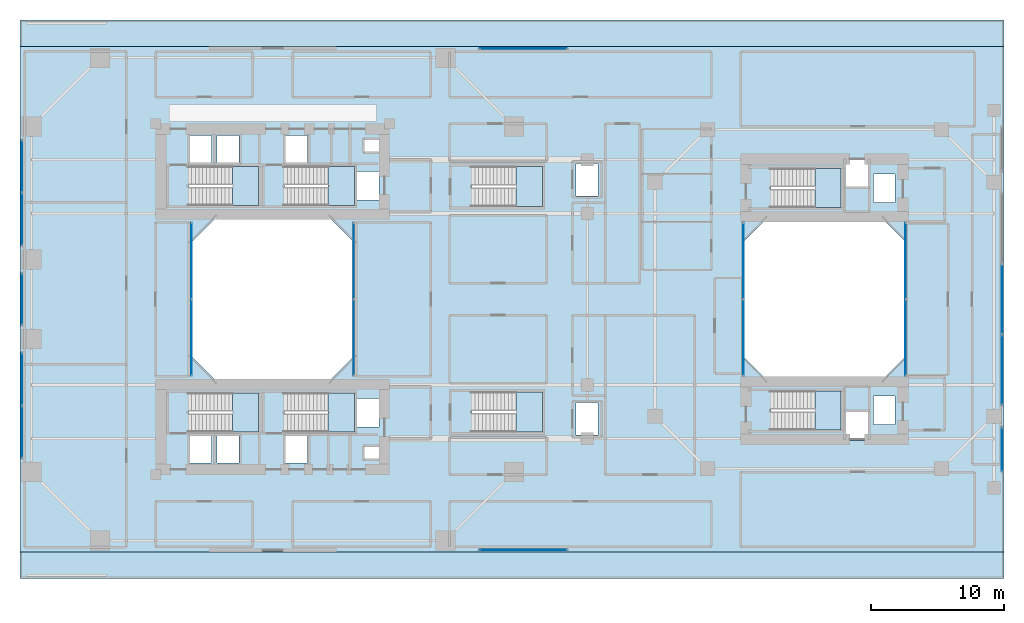
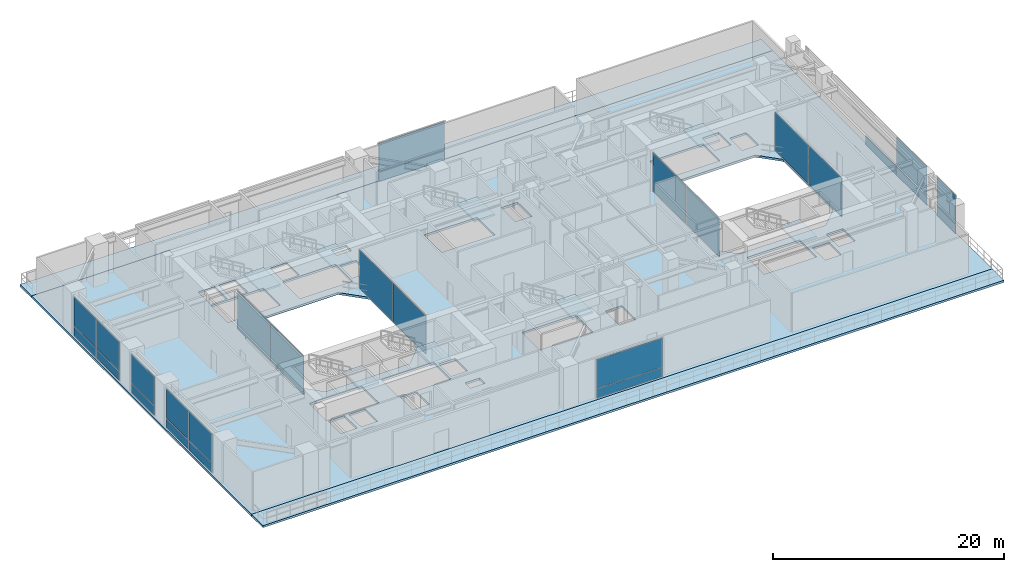
# One storey, part 9 of 19: 27 plates, 11 slabs, 19 elements without a shape of their own.
"""IFC4 building model written with IfcOpenShell, lengths in metres."""

from ifc_helpers import new_model, si_unit, direction, frame, origin, origin_2d, place, context, subcontext, project, spatial, polyline, rectangle, outline, extrude, source, transform, mapped, material, layer, layer_set, type_object, element, aggregate, save


model = new_model("IFC4")

# Units and contexts
model_context = context("Model", 3, precision=1e-05, world=origin(), true_north=direction((0.0, 1.0)))
body_context = subcontext(model_context, "Body", "Model", "MODEL_VIEW")
ifc_project = project(units=[si_unit("LENGTHUNIT", "METRE"), si_unit("AREAUNIT", "SQUARE_METRE"), si_unit("VOLUMEUNIT", "CUBIC_METRE"), si_unit("PLANEANGLEUNIT", "RADIAN"), si_unit("MASSUNIT", "GRAM", prefix="KILO"), si_unit("THERMODYNAMICTEMPERATUREUNIT", "KELVIN"), si_unit("POWERUNIT", "WATT")], contexts=[model_context])

# Site, building, storey
site_placement = place(None, origin())
site = spatial("IfcSite", under=ifc_project, at=site_placement, CompositionType="ELEMENT")
building_placement = place(site_placement, origin())
building = spatial("IfcBuilding", under=site, at=building_placement, Name="Qiaomeng Ring Towers", CompositionType="ELEMENT")
storey_placement = place(building_placement, frame((0.0, 0.0, 9.39990234375)))
storey = spatial("IfcBuildingStorey", under=building, at=storey_placement, Name="L02", CompositionType="ELEMENT", Elevation=9.39990234375)

# Slab
ifc_material_1 = material(Name="Concrete C40", Category="concrete")
ifc_layer_1 = layer(ifc_material_1, 0.219970703125, Name="Concrete C40")
ifc_layer_set_1 = layer_set([ifc_layer_1], Name="Concrete C40")
slab_type_1 = type_object("IfcSlabType", Name="STR-SL-220", PredefinedType="FLOOR", material=ifc_layer_set_1)
slab_1_placement = place(storey_placement, frame((0.0, 0.0, -0.219970703125)))
element("IfcSlab", 1, at=slab_1_placement, inside=storey, type_object=slab_type_1, Name="L02 Structural Floor Slab", PredefinedType="FLOOR", context=body_context, shape_type="SweptSolid", body=[
    extrude(outline(polyline([(0.0, 4.0), (74.0, 4.0), (74.0, 42.0), (0.0, 42.0), (0.0, 4.0)]), holes=[polyline([(12.780029296875, 12.820068359375), (14.419921875, 12.820068359375), (14.419921875, 10.679931640625), (12.780029296875, 10.679931640625), (12.780029296875, 12.820068359375)]), polyline([(16.469970703125, 12.820068359375), (16.469970703125, 10.679931640625), (14.830078125, 10.679931640625), (14.830078125, 12.820068359375), (16.469970703125, 12.820068359375)]), polyline([(21.6201171875, 12.820068359375), (21.6201171875, 10.679931640625), (19.97998046875, 10.679931640625), (19.97998046875, 12.820068359375), (21.6201171875, 12.820068359375)]), polyline([(27.0, 15.52001953125), (27.0, 13.3798828125), (25.360107421875, 13.3798828125), (25.360107421875, 15.52001953125), (27.0, 15.52001953125)]), polyline([(17.949951171875, 15.949951171875), (17.949951171875, 13.010009765625), (12.679931640625, 13.010009765625), (12.679931640625, 15.949951171875), (17.949951171875, 15.949951171875)]), polyline([(25.14990234375, 15.949951171875), (25.14990234375, 13.010009765625), (19.8798828125, 13.010009765625), (19.8798828125, 15.949951171875), (25.14990234375, 15.949951171875)]), polyline([(25.199951171875, 18.800048828125), (23.199951171875, 16.800048828125), (14.800048828125, 16.800048828125), (12.800048828125, 18.800048828125), (12.800048828125, 27.199951171875), (14.800048828125, 29.199951171875), (23.199951171875, 29.199951171875), (25.199951171875, 27.199951171875), (25.199951171875, 18.800048828125)]), polyline([(12.679931640625, 32.989990234375), (17.949951171875, 32.989990234375), (17.949951171875, 30.050048828125), (12.679931640625, 30.050048828125), (12.679931640625, 32.989990234375)]), polyline([(25.14990234375, 32.989990234375), (25.14990234375, 30.050048828125), (19.8798828125, 30.050048828125), (19.8798828125, 32.989990234375), (25.14990234375, 32.989990234375)]), polyline([(27.0, 32.6201171875), (27.0, 30.47998046875), (25.360107421875, 30.47998046875), (25.360107421875, 32.6201171875), (27.0, 32.6201171875)]), polyline([(14.419921875, 35.320068359375), (14.419921875, 33.179931640625), (12.780029296875, 33.179931640625), (12.780029296875, 35.320068359375), (14.419921875, 35.320068359375)]), polyline([(16.469970703125, 35.320068359375), (16.469970703125, 33.179931640625), (14.830078125, 33.179931640625), (14.830078125, 35.320068359375), (16.469970703125, 35.320068359375)]), polyline([(21.6201171875, 35.320068359375), (21.6201171875, 33.179931640625), (19.97998046875, 33.179931640625), (19.97998046875, 35.320068359375), (21.6201171875, 35.320068359375)]), polyline([(27.360107421875, 35.0), (27.360107421875, 34.10009765625), (25.919921875, 34.10009765625), (25.919921875, 35.0), (27.360107421875, 35.0)]), polyline([(25.919921875, 11.89990234375), (27.360107421875, 11.89990234375), (27.360107421875, 11.0), (25.919921875, 11.0), (25.919921875, 11.89990234375)]), polyline([(63.77001953125, 14.52001953125), (63.77001953125, 12.3798828125), (62.1298828125, 12.3798828125), (62.1298828125, 14.52001953125), (63.77001953125, 14.52001953125)]), polyline([(43.469970703125, 15.219970703125), (43.469970703125, 12.780029296875), (41.830078125, 12.780029296875), (41.830078125, 15.219970703125), (43.469970703125, 15.219970703125)]), polyline([(39.300048828125, 16.0400390625), (39.300048828125, 13.0), (33.989990234375, 13.0), (33.989990234375, 16.0400390625), (39.300048828125, 16.0400390625)]), polyline([(61.75, 16.10009765625), (61.75, 13.159912109375), (56.47998046875, 13.159912109375), (56.47998046875, 16.10009765625), (61.75, 16.10009765625)]), polyline([(65.820068359375, 15.719970703125), (65.820068359375, 13.580078125), (64.179931640625, 13.580078125), (64.179931640625, 15.719970703125), (65.820068359375, 15.719970703125)]), polyline([(66.60009765625, 27.300048828125), (66.60009765625, 18.699951171875), (64.800048828125, 16.89990234375), (56.199951171875, 16.89990234375), (54.39990234375, 18.699951171875), (54.39990234375, 27.300048828125), (56.199951171875, 29.10009765625), (64.800048828125, 29.10009765625), (66.60009765625, 27.300048828125)]), polyline([(65.820068359375, 32.419921875), (65.820068359375, 30.280029296875), (64.179931640625, 30.280029296875), (64.179931640625, 32.419921875), (65.820068359375, 32.419921875)]), polyline([(61.75, 32.840087890625), (61.75, 29.89990234375), (56.47998046875, 29.89990234375), (56.47998046875, 32.840087890625), (61.75, 32.840087890625)]), polyline([(39.300048828125, 33.0), (39.300048828125, 29.9599609375), (33.989990234375, 29.9599609375), (33.989990234375, 33.0), (39.300048828125, 33.0)]), polyline([(43.469970703125, 33.219970703125), (43.469970703125, 30.780029296875), (41.830078125, 30.780029296875), (41.830078125, 33.219970703125), (43.469970703125, 33.219970703125)]), polyline([(63.77001953125, 33.6201171875), (63.77001953125, 31.47998046875), (62.1298828125, 31.47998046875), (62.1298828125, 33.6201171875), (63.77001953125, 33.6201171875)])]), origin(), (0.0, 0.0, 1.0), 0.219970703125),
])

# Stair, slab
ifc_material_2 = material(Name="Precast concrete C40", Category="concrete")
stair_type_1 = type_object("IfcStairType", Name="ARC-ST-440", PredefinedType="HALF_TURN_STAIR", material=ifc_material_2)
stair_1_placement = place(storey_placement, origin())
stair_1 = element("IfcStair", 2, at=stair_1_placement, inside=storey, type_object=stair_type_1, Name="L02 Tower 1 North Stair 1", PredefinedType="HALF_TURN_STAIR")
ifc_layer_2 = layer(ifc_material_1, 0.199951171875, Name="Concrete C40")
ifc_layer_set_2 = layer_set([ifc_layer_2], Name="Concrete C40")
slab_type_2 = type_object("IfcSlabType", Name="STR-SL-LANDING", PredefinedType="LANDING", material=ifc_layer_set_2)
slab_2_placement = place(storey_placement, frame((0.0, 0.0, 2.0)))
slab_2 = element("IfcSlab", 3, at=slab_2_placement, type_object=slab_type_2, Name="ST1 landing 1", PredefinedType="LANDING", context=body_context, shape_type="SweptSolid", body=[
    extrude(outline(polyline([(15.97998046875, 30.050048828125), (17.949951171875, 30.050048828125), (17.949951171875, 32.989990234375), (15.97998046875, 32.989990234375), (15.97998046875, 30.050048828125)])), origin(), (0.0, 0.0, 1.0), 0.2001953125),
])
aggregate(stair_1, [slab_2])

stair_2_placement = place(storey_placement, origin())
stair_2 = element("IfcStair", 4, at=stair_2_placement, inside=storey, type_object=stair_type_1, Name="L02 Tower 1 North Stair 2", PredefinedType="HALF_TURN_STAIR")
slab_3_placement = place(storey_placement, frame((0.0, 0.0, 2.0)))
slab_3 = element("IfcSlab", 5, at=slab_3_placement, type_object=slab_type_2, Name="ST2 landing 1", PredefinedType="LANDING", context=body_context, shape_type="SweptSolid", body=[
    extrude(outline(polyline([(23.179931640625, 30.050048828125), (25.14990234375, 30.050048828125), (25.14990234375, 32.989990234375), (23.179931640625, 32.989990234375), (23.179931640625, 30.050048828125)])), origin(), (0.0, 0.0, 1.0), 0.2001953125),
])
aggregate(stair_2, [slab_3])

stair_3_placement = place(storey_placement, origin())
stair_3 = element("IfcStair", 6, at=stair_3_placement, inside=storey, type_object=stair_type_1, Name="L02 Tower 1 South Stair 3", PredefinedType="HALF_TURN_STAIR")
slab_4_placement = place(storey_placement, frame((0.0, 0.0, 2.0)))
slab_4 = element("IfcSlab", 7, at=slab_4_placement, type_object=slab_type_2, Name="ST3 landing 1", PredefinedType="LANDING", context=body_context, shape_type="SweptSolid", body=[
    extrude(outline(polyline([(15.97998046875, 13.010009765625), (17.949951171875, 13.010009765625), (17.949951171875, 15.949951171875), (15.97998046875, 15.949951171875), (15.97998046875, 13.010009765625)])), origin(), (0.0, 0.0, 1.0), 0.2001953125),
])
aggregate(stair_3, [slab_4])

stair_4_placement = place(storey_placement, origin())
stair_4 = element("IfcStair", 8, at=stair_4_placement, inside=storey, type_object=stair_type_1, Name="L02 Tower 1 South Stair 4", PredefinedType="HALF_TURN_STAIR")
slab_5_placement = place(storey_placement, frame((0.0, 0.0, 2.0)))
slab_5 = element("IfcSlab", 9, at=slab_5_placement, type_object=slab_type_2, Name="ST4 landing 1", PredefinedType="LANDING", context=body_context, shape_type="SweptSolid", body=[
    extrude(outline(polyline([(23.179931640625, 13.010009765625), (25.14990234375, 13.010009765625), (25.14990234375, 15.949951171875), (23.179931640625, 15.949951171875), (23.179931640625, 13.010009765625)])), origin(), (0.0, 0.0, 1.0), 0.2001953125),
])
aggregate(stair_4, [slab_5])

stair_5_placement = place(storey_placement, origin())
stair_5 = element("IfcStair", 10, at=stair_5_placement, inside=storey, type_object=stair_type_1, Name="L02 Companion North Stair 5", PredefinedType="HALF_TURN_STAIR")
slab_6_placement = place(storey_placement, frame((0.0, 0.0, 2.0)))
slab_6 = element("IfcSlab", 11, at=slab_6_placement, type_object=slab_type_2, Name="ST5 landing 1", PredefinedType="LANDING", context=body_context, shape_type="SweptSolid", body=[
    extrude(outline(polyline([(59.780029296875, 29.89990234375), (61.75, 29.89990234375), (61.75, 32.840087890625), (59.780029296875, 32.840087890625), (59.780029296875, 29.89990234375)])), origin(), (0.0, 0.0, 1.0), 0.2001953125),
])
aggregate(stair_5, [slab_6])

stair_6_placement = place(storey_placement, origin())
stair_6 = element("IfcStair", 12, at=stair_6_placement, inside=storey, type_object=stair_type_1, Name="L02 Companion South Stair 6", PredefinedType="HALF_TURN_STAIR")
slab_7_placement = place(storey_placement, frame((0.0, 0.0, 2.0)))
slab_7 = element("IfcSlab", 13, at=slab_7_placement, type_object=slab_type_2, Name="ST6 landing 1", PredefinedType="LANDING", context=body_context, shape_type="SweptSolid", body=[
    extrude(outline(polyline([(59.780029296875, 13.159912109375), (61.75, 13.159912109375), (61.75, 16.10009765625), (59.780029296875, 16.10009765625), (59.780029296875, 13.159912109375)])), origin(), (0.0, 0.0, 1.0), 0.2001953125),
])
aggregate(stair_6, [slab_7])

stair_type_2 = type_object("IfcStairType", Name="ARC-ST-POD", PredefinedType="HALF_TURN_STAIR", material=ifc_material_2)
stair_7_placement = place(storey_placement, origin())
stair_7 = element("IfcStair", 14, at=stair_7_placement, inside=storey, type_object=stair_type_2, Name="L02 Podium Clinic North Stair 7", PredefinedType="HALF_TURN_STAIR")
slab_8_placement = place(storey_placement, frame((0.0, 0.0, 2.0)))
slab_8 = element("IfcSlab", 15, at=slab_8_placement, type_object=slab_type_2, Name="ST7 landing 1", PredefinedType="LANDING", context=body_context, shape_type="SweptSolid", body=[
    extrude(outline(polyline([(37.2900390625, 29.9599609375), (39.300048828125, 29.9599609375), (39.300048828125, 33.0), (37.2900390625, 33.0), (37.2900390625, 29.9599609375)])), origin(), (0.0, 0.0, 1.0), 0.2001953125),
])
aggregate(stair_7, [slab_8])

stair_8_placement = place(storey_placement, origin())
stair_8 = element("IfcStair", 16, at=stair_8_placement, inside=storey, type_object=stair_type_2, Name="L02 Podium Clinic South Stair 8", PredefinedType="HALF_TURN_STAIR")
slab_9_placement = place(storey_placement, frame((0.0, 0.0, 2.0)))
slab_9 = element("IfcSlab", 17, at=slab_9_placement, type_object=slab_type_2, Name="ST8 landing 1", PredefinedType="LANDING", context=body_context, shape_type="SweptSolid", body=[
    extrude(outline(polyline([(37.2900390625, 13.0), (39.300048828125, 13.0), (39.300048828125, 16.0400390625), (37.2900390625, 16.0400390625), (37.2900390625, 13.0)])), origin(), (0.0, 0.0, 1.0), 0.2001953125),
])
aggregate(stair_8, [slab_9])

# Slabs
ifc_layer_3 = layer(ifc_material_1, 0.219970703125, Name="Concrete C40")
ifc_layer_set_3 = layer_set([ifc_layer_3], Name="Concrete C40")
slab_type_3 = type_object("IfcSlabType", Name="STR-SL-TERR220", PredefinedType="FLOOR", material=ifc_layer_set_3)
slab_10_placement = place(storey_placement, frame((0.0, 0.0, -0.219970703125)))
element("IfcSlab", 18, at=slab_10_placement, inside=storey, type_object=slab_type_3, Name="L02 South Planted Podium Roof Terrace Slab", PredefinedType="FLOOR", context=body_context, shape_type="SweptSolid", body=[
    extrude(outline(polyline([(0.0, 2.0), (74.0, 2.0), (74.0, 4.0), (0.0, 4.0), (0.0, 2.0)])), origin(), (0.0, 0.0, 1.0), 0.219970703125),
])
slab_11_placement = place(storey_placement, frame((0.0, 0.0, -0.219970703125)))
element("IfcSlab", 19, at=slab_11_placement, inside=storey, type_object=slab_type_3, Name="L02 North Planted Podium Roof Terrace Slab", PredefinedType="FLOOR", context=body_context, shape_type="SweptSolid", body=[
    extrude(outline(polyline([(0.0, 42.0), (74.0, 42.0), (74.0, 44.0), (0.0, 44.0), (0.0, 42.0)])), origin(), (0.0, 0.0, 1.0), 0.219970703125),
])

# Curtain wall, plates
ifc_material_3 = material(Name="Fluorocarbon dark-grey aluminium", Category="aluminium")
ifc_layer_4 = layer(ifc_material_3, 0.179931640625, Name="Fluorocarbon dark-grey aluminium")
ifc_layer_set_4 = layer_set([ifc_layer_4], Name="Fluorocarbon dark-grey aluminium")
curtain_wall_type_1 = type_object("IfcCurtainWallType", Name="ARC-CW-1", PredefinedType="NOTDEFINED", material=ifc_layer_set_4)
curtain_wall_1_placement = place(storey_placement, origin())
curtain_wall_1 = element("IfcCurtainWall", 20, at=curtain_wall_1_placement, inside=storey, type_object=curtain_wall_type_1, Name="L02 Curtain Wall CW1", PredefinedType="NOTDEFINED")
ifc_material_4 = material(Name="Low-E pale-green laminated safety glass", Category="glass")
ifc_layer_5 = layer(ifc_material_4, 0.031982421875, Name="Low-E pale-green laminated safety glass")
ifc_layer_set_5 = layer_set([ifc_layer_5], Name="Low-E pale-green laminated safety glass")
plate_type_1 = type_object("IfcPlateType", Name="ARC-CWP-GREEN", PredefinedType="CURTAIN_PANEL", material=ifc_layer_set_5)
shared_shape_1 = source(origin(), body_context, "Body", "SweptSolid", [
    extrude(rectangle(XDim=3.889892578125, YDim=0.031982421875, at=origin_2d()), origin(), (0.0, 0.0, 1.0), 0.945068359375),
])
plate_1_placement = place(storey_placement, frame((0.14990234375, 13.014892578125, 0.06982421875), z_axis=(0.0, 0.0, 1.0), x_axis=(0.0, 1.0, 0.0)))
plate_1 = element("IfcPlate", 21, at=plate_1_placement, type_object=plate_type_1, Name="CW1 panel 1.1", PredefinedType="CURTAIN_PANEL", context=body_context, shape_type="MappedRepresentation", body=[
    mapped(shared_shape_1, transform((0.0, 0.0, 0.0), x_axis=(1.0, 0.0, 0.0), y_axis=(0.0, 1.0, 0.0), z_axis=(0.0, 0.0, 1.0), scale=1.0)),
])
plate_2_placement = place(storey_placement, frame((0.14990234375, 16.985107421875, 0.06982421875), z_axis=(0.0, 0.0, 1.0), x_axis=(0.0, 1.0, 0.0)))
plate_2 = element("IfcPlate", 22, at=plate_2_placement, type_object=plate_type_1, Name="CW1 panel 2.1", PredefinedType="CURTAIN_PANEL", context=body_context, shape_type="MappedRepresentation", body=[
    mapped(shared_shape_1, transform((0.0, 0.0, 0.0), x_axis=(1.0, 0.0, 0.0), y_axis=(0.0, 1.0, 0.0), z_axis=(0.0, 0.0, 1.0), scale=1.0)),
])

curtain_wall_2_placement = place(storey_placement, origin())
curtain_wall_2 = element("IfcCurtainWall", 23, at=curtain_wall_2_placement, inside=storey, type_object=curtain_wall_type_1, Name="L02 Curtain Wall CW1", PredefinedType="NOTDEFINED")
plate_3_placement = place(storey_placement, frame((0.14990234375, 29.014892578125, 0.06982421875), z_axis=(0.0, 0.0, 1.0), x_axis=(0.0, 1.0, 0.0)))
plate_3 = element("IfcPlate", 24, at=plate_3_placement, type_object=plate_type_1, Name="CW1 panel 1.1", PredefinedType="CURTAIN_PANEL", context=body_context, shape_type="MappedRepresentation", body=[
    mapped(shared_shape_1, transform((0.0, 0.0, 0.0), x_axis=(1.0, 0.0, 0.0), y_axis=(0.0, 1.0, 0.0), z_axis=(0.0, 0.0, 1.0), scale=1.0)),
])
plate_4_placement = place(storey_placement, frame((0.14990234375, 32.985107421875, 0.06982421875), z_axis=(0.0, 0.0, 1.0), x_axis=(0.0, 1.0, 0.0)))
plate_4 = element("IfcPlate", 25, at=plate_4_placement, type_object=plate_type_1, Name="CW1 panel 2.1", PredefinedType="CURTAIN_PANEL", context=body_context, shape_type="MappedRepresentation", body=[
    mapped(shared_shape_1, transform((0.0, 0.0, 0.0), x_axis=(1.0, 0.0, 0.0), y_axis=(0.0, 1.0, 0.0), z_axis=(0.0, 0.0, 1.0), scale=1.0)),
])

# Curtain wall, plate
curtain_wall_3_placement = place(storey_placement, origin())
curtain_wall_3 = element("IfcCurtainWall", 26, at=curtain_wall_3_placement, inside=storey, type_object=curtain_wall_type_1, Name="L02 Curtain Wall CW1", PredefinedType="NOTDEFINED")
shared_shape_2 = source(origin(), body_context, "Body", "SweptSolid", [
    extrude(rectangle(XDim=3.860107421875, YDim=0.031982421875, at=origin_2d()), origin(), (0.0, 0.0, 1.0), 0.945068359375),
])
plate_5_placement = place(storey_placement, frame((0.14990234375, 23.0, 0.06982421875), z_axis=(0.0, 0.0, 1.0), x_axis=(0.0, 1.0, 0.0)))
plate_5 = element("IfcPlate", 27, at=plate_5_placement, type_object=plate_type_1, Name="CW1 panel 1.1", PredefinedType="CURTAIN_PANEL", context=body_context, shape_type="MappedRepresentation", body=[
    mapped(shared_shape_2, transform((0.0, 0.0, 0.0), x_axis=(1.0, 0.0, 0.0), y_axis=(0.0, 1.0, 0.0), z_axis=(0.0, 0.0, 1.0), scale=1.0)),
])

# Curtain wall, plates
curtain_wall_4_placement = place(storey_placement, origin())
curtain_wall_4 = element("IfcCurtainWall", 28, at=curtain_wall_4_placement, inside=storey, type_object=curtain_wall_type_1, Name="L02 Curtain Wall CW1", PredefinedType="NOTDEFINED")
shared_shape_3 = source(origin(), body_context, "Body", "SweptSolid", [
    extrude(rectangle(XDim=5.219970703125, YDim=0.031982421875, at=origin_2d()), origin(), (0.0, 0.0, 1.0), 0.945068359375),
])
plate_6_placement = place(storey_placement, frame((73.85009765625, 17.679931640625, 0.06982421875), z_axis=(0.0, 0.0, 1.0), x_axis=(0.0, 1.0, 0.0)))
plate_6 = element("IfcPlate", 29, at=plate_6_placement, type_object=plate_type_1, Name="CW1 panel 1.1", PredefinedType="CURTAIN_PANEL", context=body_context, shape_type="MappedRepresentation", body=[
    mapped(shared_shape_3, transform((0.0, 0.0, 0.0), x_axis=(1.0, 0.0, 0.0), y_axis=(0.0, 1.0, 0.0), z_axis=(0.0, 0.0, 1.0), scale=1.0)),
])
shared_shape_4 = source(origin(), body_context, "Body", "SweptSolid", [
    extrude(rectangle(XDim=5.260009765625, YDim=0.031982421875, at=origin_2d()), origin(), (0.0, 0.0, 1.0), 0.945068359375),
])
plate_7_placement = place(storey_placement, frame((73.85009765625, 23.0, 0.06982421875), z_axis=(0.0, 0.0, 1.0), x_axis=(0.0, 1.0, 0.0)))
plate_7 = element("IfcPlate", 30, at=plate_7_placement, type_object=plate_type_1, Name="CW1 panel 2.1", PredefinedType="CURTAIN_PANEL", context=body_context, shape_type="MappedRepresentation", body=[
    mapped(shared_shape_4, transform((0.0, 0.0, 0.0), x_axis=(1.0, 0.0, 0.0), y_axis=(0.0, 1.0, 0.0), z_axis=(0.0, 0.0, 1.0), scale=1.0)),
])

# Plate
shared_shape_5 = source(origin(), body_context, "Body", "SweptSolid", [
    extrude(rectangle(XDim=3.889892578125, YDim=0.031982421875, at=origin_2d()), origin(), (0.0, 0.0, 1.0), 3.02490234375),
])
plate_8_placement = place(storey_placement, frame((0.14990234375, 13.014892578125, 1.085205078125), z_axis=(0.0, 0.0, 1.0), x_axis=(0.0, 1.0, 0.0)))
plate_8 = element("IfcPlate", 31, at=plate_8_placement, type_object=plate_type_1, Name="CW1 panel 1.2", PredefinedType="CURTAIN_PANEL", context=body_context, shape_type="MappedRepresentation", body=[
    mapped(shared_shape_5, transform((0.0, 0.0, 0.0), x_axis=(1.0, 0.0, 0.0), y_axis=(0.0, 1.0, 0.0), z_axis=(0.0, 0.0, 1.0), scale=1.0)),
])

plate_9_placement = place(storey_placement, frame((0.14990234375, 16.985107421875, 1.085205078125), z_axis=(0.0, 0.0, 1.0), x_axis=(0.0, 1.0, 0.0)))
plate_9 = element("IfcPlate", 32, at=plate_9_placement, type_object=plate_type_1, Name="CW1 panel 2.2", PredefinedType="CURTAIN_PANEL", context=body_context, shape_type="MappedRepresentation", body=[
    mapped(shared_shape_5, transform((0.0, 0.0, 0.0), x_axis=(1.0, 0.0, 0.0), y_axis=(0.0, 1.0, 0.0), z_axis=(0.0, 0.0, 1.0), scale=1.0)),
])

aggregate(curtain_wall_1, [plate_1, plate_8, plate_2, plate_9])

plate_10_placement = place(storey_placement, frame((0.14990234375, 29.014892578125, 1.085205078125), z_axis=(0.0, 0.0, 1.0), x_axis=(0.0, 1.0, 0.0)))
plate_10 = element("IfcPlate", 33, at=plate_10_placement, type_object=plate_type_1, Name="CW1 panel 1.2", PredefinedType="CURTAIN_PANEL", context=body_context, shape_type="MappedRepresentation", body=[
    mapped(shared_shape_5, transform((0.0, 0.0, 0.0), x_axis=(1.0, 0.0, 0.0), y_axis=(0.0, 1.0, 0.0), z_axis=(0.0, 0.0, 1.0), scale=1.0)),
])

plate_11_placement = place(storey_placement, frame((0.14990234375, 32.985107421875, 1.085205078125), z_axis=(0.0, 0.0, 1.0), x_axis=(0.0, 1.0, 0.0)))
plate_11 = element("IfcPlate", 34, at=plate_11_placement, type_object=plate_type_1, Name="CW1 panel 2.2", PredefinedType="CURTAIN_PANEL", context=body_context, shape_type="MappedRepresentation", body=[
    mapped(shared_shape_5, transform((0.0, 0.0, 0.0), x_axis=(1.0, 0.0, 0.0), y_axis=(0.0, 1.0, 0.0), z_axis=(0.0, 0.0, 1.0), scale=1.0)),
])

aggregate(curtain_wall_2, [plate_3, plate_10, plate_4, plate_11])

shared_shape_6 = source(origin(), body_context, "Body", "SweptSolid", [
    extrude(rectangle(XDim=3.860107421875, YDim=0.031982421875, at=origin_2d()), origin(), (0.0, 0.0, 1.0), 3.02490234375),
])
plate_12_placement = place(storey_placement, frame((0.14990234375, 23.0, 1.085205078125), z_axis=(0.0, 0.0, 1.0), x_axis=(0.0, 1.0, 0.0)))
plate_12 = element("IfcPlate", 35, at=plate_12_placement, type_object=plate_type_1, Name="CW1 panel 1.2", PredefinedType="CURTAIN_PANEL", context=body_context, shape_type="MappedRepresentation", body=[
    mapped(shared_shape_6, transform((0.0, 0.0, 0.0), x_axis=(1.0, 0.0, 0.0), y_axis=(0.0, 1.0, 0.0), z_axis=(0.0, 0.0, 1.0), scale=1.0)),
])

aggregate(curtain_wall_3, [plate_5, plate_12])

# Curtain wall, plates
curtain_wall_5_placement = place(storey_placement, origin())
curtain_wall_5 = element("IfcCurtainWall", 36, at=curtain_wall_5_placement, inside=storey, type_object=curtain_wall_type_1, Name="L02 Curtain Wall CW1", PredefinedType="NOTDEFINED")
shared_shape_7 = source(origin(), body_context, "Body", "SweptSolid", [
    extrude(rectangle(XDim=3.25, YDim=0.031982421875, at=origin_2d()), origin(), (0.0, 0.0, 1.0), 0.945068359375),
])
plate_13_placement = place(storey_placement, frame((73.85009765625, 11.705078125, 0.06982421875), z_axis=(0.0, 0.0, 1.0), x_axis=(0.0, 1.0, 0.0)))
plate_13 = element("IfcPlate", 37, at=plate_13_placement, type_object=plate_type_1, Name="CW1 panel 1.1", PredefinedType="CURTAIN_PANEL", context=body_context, shape_type="MappedRepresentation", body=[
    mapped(shared_shape_7, transform((0.0, 0.0, 0.0), x_axis=(1.0, 0.0, 0.0), y_axis=(0.0, 1.0, 0.0), z_axis=(0.0, 0.0, 1.0), scale=1.0)),
])
shared_shape_8 = source(origin(), body_context, "Body", "SweptSolid", [
    extrude(rectangle(XDim=3.25, YDim=0.031982421875, at=origin_2d()), origin(), (0.0, 0.0, 1.0), 3.02490234375),
])
plate_14_placement = place(storey_placement, frame((73.85009765625, 11.705078125, 1.085205078125), z_axis=(0.0, 0.0, 1.0), x_axis=(0.0, 1.0, 0.0)))
plate_14 = element("IfcPlate", 38, at=plate_14_placement, type_object=plate_type_1, Name="CW1 panel 1.2", PredefinedType="CURTAIN_PANEL", context=body_context, shape_type="MappedRepresentation", body=[
    mapped(shared_shape_8, transform((0.0, 0.0, 0.0), x_axis=(1.0, 0.0, 0.0), y_axis=(0.0, 1.0, 0.0), z_axis=(0.0, 0.0, 1.0), scale=1.0)),
])
aggregate(curtain_wall_5, [plate_13, plate_14])

# Plate
shared_shape_9 = source(origin(), body_context, "Body", "SweptSolid", [
    extrude(rectangle(XDim=5.219970703125, YDim=0.031982421875, at=origin_2d()), origin(), (0.0, 0.0, 1.0), 3.02490234375),
])
plate_15_placement = place(storey_placement, frame((73.85009765625, 17.679931640625, 1.085205078125), z_axis=(0.0, 0.0, 1.0), x_axis=(0.0, 1.0, 0.0)))
plate_15 = element("IfcPlate", 39, at=plate_15_placement, type_object=plate_type_1, Name="CW1 panel 1.2", PredefinedType="CURTAIN_PANEL", context=body_context, shape_type="MappedRepresentation", body=[
    mapped(shared_shape_9, transform((0.0, 0.0, 0.0), x_axis=(1.0, 0.0, 0.0), y_axis=(0.0, 1.0, 0.0), z_axis=(0.0, 0.0, 1.0), scale=1.0)),
])

aggregate(curtain_wall_4, [plate_6, plate_15, plate_7])

# Curtain wall, plate
curtain_wall_6_placement = place(storey_placement, origin())
curtain_wall_6 = element("IfcCurtainWall", 40, at=curtain_wall_6_placement, inside=storey, type_object=curtain_wall_type_1, Name="L02 Curtain Wall CW1", PredefinedType="NOTDEFINED")
shared_shape_10 = source(origin(), body_context, "Body", "SweptSolid", [
    extrude(rectangle(XDim=6.5400390625, YDim=0.031982421875, at=origin_2d()), origin(), (0.0, 0.0, 1.0), 0.945068359375),
])
plate_16_placement = place(storey_placement, frame((37.85009765625, 4.14990234375, 0.06982421875), z_axis=(0.0, 0.0, 1.0), x_axis=(1.0, 0.0, 0.0)))
plate_16 = element("IfcPlate", 41, at=plate_16_placement, type_object=plate_type_1, Name="CW1 panel 1.1", PredefinedType="CURTAIN_PANEL", context=body_context, shape_type="MappedRepresentation", body=[
    mapped(shared_shape_10, transform((0.0, 0.0, 0.0), x_axis=(1.0, 0.0, 0.0), y_axis=(0.0, 1.0, 0.0), z_axis=(0.0, 0.0, 1.0), scale=1.0)),
])

curtain_wall_7_placement = place(storey_placement, origin())
curtain_wall_7 = element("IfcCurtainWall", 42, at=curtain_wall_7_placement, inside=storey, type_object=curtain_wall_type_1, Name="L02 Curtain Wall CW1", PredefinedType="NOTDEFINED")
plate_17_placement = place(storey_placement, frame((37.85009765625, 41.85009765625, 0.06982421875), z_axis=(0.0, 0.0, 1.0), x_axis=(1.0, 0.0, 0.0)))
plate_17 = element("IfcPlate", 43, at=plate_17_placement, type_object=plate_type_1, Name="CW1 panel 1.1", PredefinedType="CURTAIN_PANEL", context=body_context, shape_type="MappedRepresentation", body=[
    mapped(shared_shape_10, transform((0.0, 0.0, 0.0), x_axis=(1.0, 0.0, 0.0), y_axis=(0.0, 1.0, 0.0), z_axis=(0.0, 0.0, 1.0), scale=1.0)),
])

# Plate
shared_shape_11 = source(origin(), body_context, "Body", "SweptSolid", [
    extrude(rectangle(XDim=6.5400390625, YDim=0.031982421875, at=origin_2d()), origin(), (0.0, 0.0, 1.0), 3.02490234375),
])
plate_18_placement = place(storey_placement, frame((37.85009765625, 4.14990234375, 1.085205078125), z_axis=(0.0, 0.0, 1.0), x_axis=(1.0, 0.0, 0.0)))
plate_18 = element("IfcPlate", 44, at=plate_18_placement, type_object=plate_type_1, Name="CW1 panel 1.2", PredefinedType="CURTAIN_PANEL", context=body_context, shape_type="MappedRepresentation", body=[
    mapped(shared_shape_11, transform((0.0, 0.0, 0.0), x_axis=(1.0, 0.0, 0.0), y_axis=(0.0, 1.0, 0.0), z_axis=(0.0, 0.0, 1.0), scale=1.0)),
])

aggregate(curtain_wall_6, [plate_16, plate_18])

plate_19_placement = place(storey_placement, frame((37.85009765625, 41.85009765625, 1.085205078125), z_axis=(0.0, 0.0, 1.0), x_axis=(1.0, 0.0, 0.0)))
plate_19 = element("IfcPlate", 45, at=plate_19_placement, type_object=plate_type_1, Name="CW1 panel 1.2", PredefinedType="CURTAIN_PANEL", context=body_context, shape_type="MappedRepresentation", body=[
    mapped(shared_shape_11, transform((0.0, 0.0, 0.0), x_axis=(1.0, 0.0, 0.0), y_axis=(0.0, 1.0, 0.0), z_axis=(0.0, 0.0, 1.0), scale=1.0)),
])

aggregate(curtain_wall_7, [plate_17, plate_19])

# Curtain wall, plates
ifc_layer_6 = layer(ifc_material_3, 0.139892578125, Name="Fluorocarbon dark-grey aluminium")
ifc_layer_set_6 = layer_set([ifc_layer_6], Name="Fluorocarbon dark-grey aluminium")
curtain_wall_type_2 = type_object("IfcCurtainWallType", Name="ARC-CW-4", PredefinedType="NOTDEFINED", material=ifc_layer_set_6)
curtain_wall_8_placement = place(storey_placement, origin())
curtain_wall_8 = element("IfcCurtainWall", 46, at=curtain_wall_8_placement, inside=storey, type_object=curtain_wall_type_2, Name="L02 Curtain Wall CW4", PredefinedType="NOTDEFINED")
ifc_material_5 = material(Name="Low-E dark-grey laminated double glazing", Category="glass")
ifc_layer_7 = layer(ifc_material_5, 0.028076171875, Name="Low-E dark-grey laminated double glazing")
ifc_layer_set_7 = layer_set([ifc_layer_7], Name="Low-E dark-grey laminated double glazing")
plate_type_2 = type_object("IfcPlateType", Name="ARC-CWP-DARK", PredefinedType="CURTAIN_PANEL", material=ifc_layer_set_7)
shared_shape_12 = source(origin(), body_context, "Body", "SweptSolid", [
    extrude(rectangle(XDim=5.702392578125, YDim=0.028076171875, at=origin_2d()), origin(), (0.0, 0.0, 1.0), 4.050048828125),
])
plate_20_placement = place(storey_placement, frame((12.89990234375, 20.1162109375, 0.06494140625), z_axis=(0.0, 0.0, 1.0), x_axis=(0.0, 1.0, 0.0)))
plate_20 = element("IfcPlate", 47, at=plate_20_placement, type_object=plate_type_2, Name="CW4 panel 1.1", PredefinedType="CURTAIN_PANEL", context=body_context, shape_type="MappedRepresentation", body=[
    mapped(shared_shape_12, transform((0.0, 0.0, 0.0), x_axis=(1.0, 0.0, 0.0), y_axis=(0.0, 1.0, 0.0), z_axis=(0.0, 0.0, 1.0), scale=1.0)),
])
plate_21_placement = place(storey_placement, frame((12.89990234375, 25.8837890625, 0.06494140625), z_axis=(0.0, 0.0, 1.0), x_axis=(0.0, 1.0, 0.0)))
plate_21 = element("IfcPlate", 48, at=plate_21_placement, type_object=plate_type_2, Name="CW4 panel 2.1", PredefinedType="CURTAIN_PANEL", context=body_context, shape_type="MappedRepresentation", body=[
    mapped(shared_shape_12, transform((0.0, 0.0, 0.0), x_axis=(1.0, 0.0, 0.0), y_axis=(0.0, 1.0, 0.0), z_axis=(0.0, 0.0, 1.0), scale=1.0)),
])
aggregate(curtain_wall_8, [plate_20, plate_21])

curtain_wall_9_placement = place(storey_placement, origin())
curtain_wall_9 = element("IfcCurtainWall", 49, at=curtain_wall_9_placement, inside=storey, type_object=curtain_wall_type_2, Name="L02 Curtain Wall CW4", PredefinedType="NOTDEFINED")
plate_22_placement = place(storey_placement, frame((25.10009765625, 20.1162109375, 0.06494140625), z_axis=(0.0, 0.0, 1.0), x_axis=(0.0, 1.0, 0.0)))
plate_22 = element("IfcPlate", 50, at=plate_22_placement, type_object=plate_type_2, Name="CW4 panel 1.1", PredefinedType="CURTAIN_PANEL", context=body_context, shape_type="MappedRepresentation", body=[
    mapped(shared_shape_12, transform((0.0, 0.0, 0.0), x_axis=(1.0, 0.0, 0.0), y_axis=(0.0, 1.0, 0.0), z_axis=(0.0, 0.0, 1.0), scale=1.0)),
])
plate_23_placement = place(storey_placement, frame((25.10009765625, 25.8837890625, 0.06494140625), z_axis=(0.0, 0.0, 1.0), x_axis=(0.0, 1.0, 0.0)))
plate_23 = element("IfcPlate", 51, at=plate_23_placement, type_object=plate_type_2, Name="CW4 panel 2.1", PredefinedType="CURTAIN_PANEL", context=body_context, shape_type="MappedRepresentation", body=[
    mapped(shared_shape_12, transform((0.0, 0.0, 0.0), x_axis=(1.0, 0.0, 0.0), y_axis=(0.0, 1.0, 0.0), z_axis=(0.0, 0.0, 1.0), scale=1.0)),
])
aggregate(curtain_wall_9, [plate_22, plate_23])

curtain_wall_10_placement = place(storey_placement, origin())
curtain_wall_10 = element("IfcCurtainWall", 52, at=curtain_wall_10_placement, inside=storey, type_object=curtain_wall_type_2, Name="L02 Curtain Wall CW4", PredefinedType="NOTDEFINED")
plate_24_placement = place(storey_placement, frame((54.39990234375, 20.1162109375, 0.06494140625), z_axis=(0.0, 0.0, 1.0), x_axis=(0.0, 1.0, 0.0)))
plate_24 = element("IfcPlate", 53, at=plate_24_placement, type_object=plate_type_2, Name="CW4 panel 1.1", PredefinedType="CURTAIN_PANEL", context=body_context, shape_type="MappedRepresentation", body=[
    mapped(shared_shape_12, transform((0.0, 0.0, 0.0), x_axis=(1.0, 0.0, 0.0), y_axis=(0.0, 1.0, 0.0), z_axis=(0.0, 0.0, 1.0), scale=1.0)),
])
plate_25_placement = place(storey_placement, frame((54.39990234375, 25.8837890625, 0.06494140625), z_axis=(0.0, 0.0, 1.0), x_axis=(0.0, 1.0, 0.0)))
plate_25 = element("IfcPlate", 54, at=plate_25_placement, type_object=plate_type_2, Name="CW4 panel 2.1", PredefinedType="CURTAIN_PANEL", context=body_context, shape_type="MappedRepresentation", body=[
    mapped(shared_shape_12, transform((0.0, 0.0, 0.0), x_axis=(1.0, 0.0, 0.0), y_axis=(0.0, 1.0, 0.0), z_axis=(0.0, 0.0, 1.0), scale=1.0)),
])
aggregate(curtain_wall_10, [plate_24, plate_25])

curtain_wall_11_placement = place(storey_placement, origin())
curtain_wall_11 = element("IfcCurtainWall", 55, at=curtain_wall_11_placement, inside=storey, type_object=curtain_wall_type_2, Name="L02 Curtain Wall CW4", PredefinedType="NOTDEFINED")
plate_26_placement = place(storey_placement, frame((66.60009765625, 20.1162109375, 0.06494140625), z_axis=(0.0, 0.0, 1.0), x_axis=(0.0, 1.0, 0.0)))
plate_26 = element("IfcPlate", 56, at=plate_26_placement, type_object=plate_type_2, Name="CW4 panel 1.1", PredefinedType="CURTAIN_PANEL", context=body_context, shape_type="MappedRepresentation", body=[
    mapped(shared_shape_12, transform((0.0, 0.0, 0.0), x_axis=(1.0, 0.0, 0.0), y_axis=(0.0, 1.0, 0.0), z_axis=(0.0, 0.0, 1.0), scale=1.0)),
])
plate_27_placement = place(storey_placement, frame((66.60009765625, 25.8837890625, 0.06494140625), z_axis=(0.0, 0.0, 1.0), x_axis=(0.0, 1.0, 0.0)))
plate_27 = element("IfcPlate", 57, at=plate_27_placement, type_object=plate_type_2, Name="CW4 panel 2.1", PredefinedType="CURTAIN_PANEL", context=body_context, shape_type="MappedRepresentation", body=[
    mapped(shared_shape_12, transform((0.0, 0.0, 0.0), x_axis=(1.0, 0.0, 0.0), y_axis=(0.0, 1.0, 0.0), z_axis=(0.0, 0.0, 1.0), scale=1.0)),
])
aggregate(curtain_wall_11, [plate_26, plate_27])

save(model, "model.ifc")
